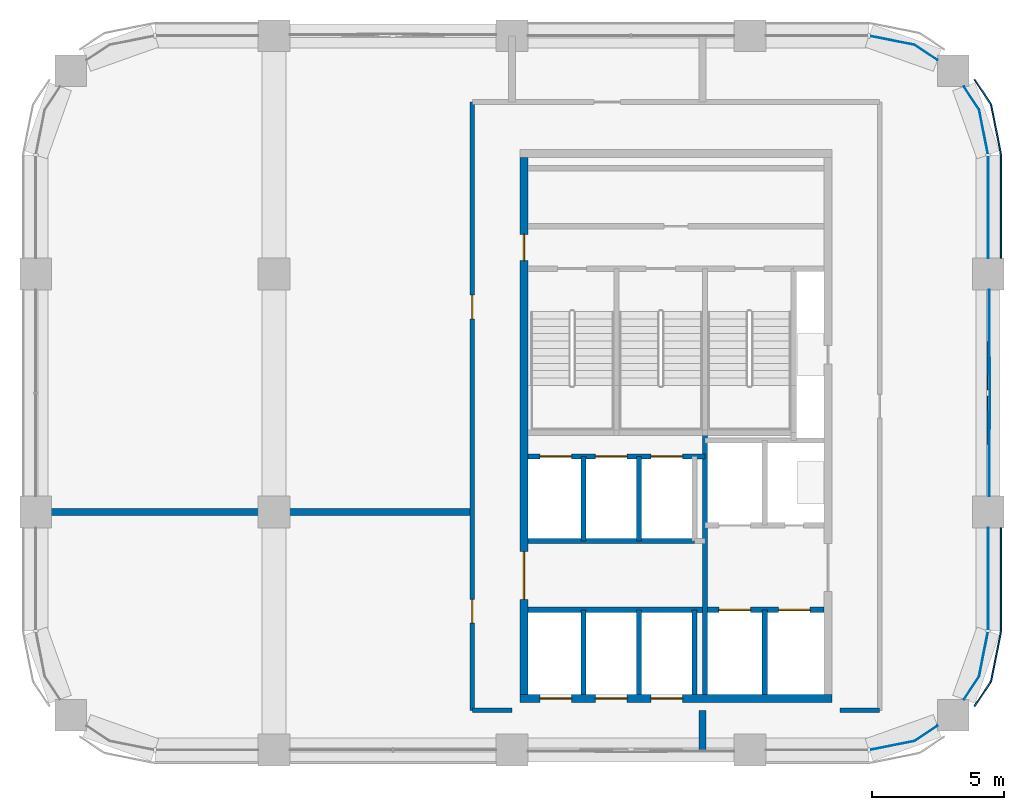
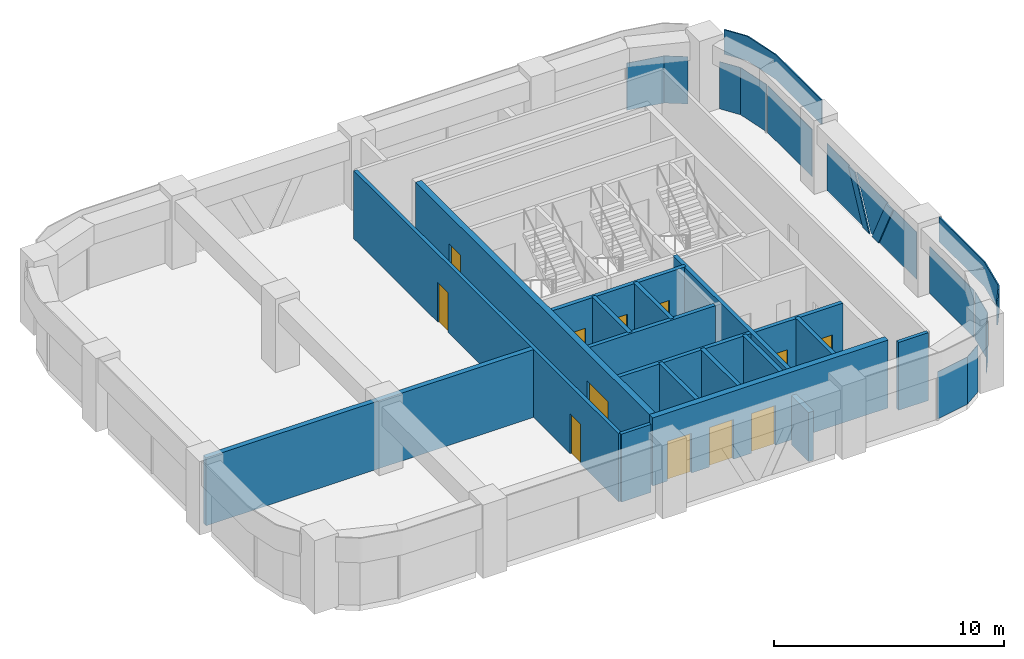
# One storey, part 6 of 9: 17 walls, 13 plates, 12 doors, 12 openings, 5 elements without a shape of their own.
"""IFC4 building model written with IfcOpenShell, lengths in metres."""

from ifc_helpers import new_model, si_unit, direction, frame, frame_2d, origin, origin_2d, place, context, subcontext, project, spatial, polyline, rectangle, outline, extrude, material, layer, layer_set, type_object, element, fill, aggregate, save


model = new_model("IFC4")

# Units and contexts
model_context = context("Model", 3, precision=1e-05, world=origin(), true_north=direction((0.0, 1.0)))
body_context = subcontext(model_context, "Body", "Model", "MODEL_VIEW")
ifc_project = project(units=[si_unit("LENGTHUNIT", "METRE"), si_unit("AREAUNIT", "SQUARE_METRE"), si_unit("VOLUMEUNIT", "CUBIC_METRE"), si_unit("PLANEANGLEUNIT", "RADIAN"), si_unit("MASSUNIT", "GRAM", prefix="KILO")], contexts=[model_context])

# Site, building, storey
site_placement = place(None, origin())
site = spatial("IfcSite", under=ifc_project, at=site_placement, CompositionType="ELEMENT")
building_placement = place(site_placement, origin())
building = spatial("IfcBuilding", under=site, at=building_placement, Name="Tessera Arch", CompositionType="ELEMENT")
storey_placement = place(building_placement, frame((0.0, 0.0, 309.0)))
storey = spatial("IfcBuildingStorey", under=building, at=storey_placement, Name="L74", CompositionType="ELEMENT", Elevation=309.0)

# Curtain wall, plates
ifc_material_1 = material(Name="CW2 curtain wall")
curtain_wall_type_1 = type_object("IfcCurtainWallType", Name="CW2 curtain wall", PredefinedType="NOTDEFINED", material=ifc_material_1)
curtain_wall_1_placement = place(storey_placement, origin())
curtain_wall_1 = element("IfcCurtainWall", 1, at=curtain_wall_1_placement, inside=storey, type_object=curtain_wall_type_1, Name="CW2 curtain wall E54.27/1 L74", PredefinedType="NOTDEFINED")
ifc_material_2 = material(Name="Clear low-e glass", Category="glass")
ifc_material_3 = material(Name="Clear low-e glass", Category="glass")
ifc_layer_1 = layer(ifc_material_3, 0.028076171875)
ifc_layer_set_1 = layer_set([ifc_layer_1], Name="CW2 glass panel")
plate_type_1 = type_object("IfcPlateType", Name="CW2 glass panel", PredefinedType="CURTAIN_PANEL", material=ifc_layer_set_1)
plate_1_placement = place(storey_placement, frame((54.0, 47.530029296875, 0.0), z_axis=(0.0, 0.0, 1.0), x_axis=(0.0, 1.0, 0.0)))
plate_1 = element("IfcPlate", 2, at=plate_1_placement, type_object=plate_type_1, material=ifc_material_2, Name="CW2 glass panel E54.27/1 1.1", PredefinedType="CURTAIN_PANEL", context=body_context, shape_type="SweptSolid", body=[
    extrude(rectangle(XDim=3.860107421875, YDim=0.028076171875, at=origin_2d()), origin(), (0.0, 0.0, 1.0), 2.5),
])
plate_2_placement = place(storey_placement, origin())
plate_2 = element("IfcPlate", 3, at=plate_2_placement, type_object=plate_type_1, material=ifc_material_2, Name="CW2 curved glass panel E54.27/1 2.1", PredefinedType="CURTAIN_PANEL", context=body_context, shape_type="SweptSolid", body=[
    extrude(outline(polyline([(53.644287109375, 51.216552734375), (53.978515625, 49.53662109375), (54.005859375, 49.5419921875), (53.670654296875, 51.2275390625), (53.094482421875, 52.08984375), (53.0712890625, 52.07421875), (53.644287109375, 51.216552734375)])), origin(), (0.0, 0.0, 1.0), 2.5),
])

# Curtain wall, plate
curtain_wall_2_placement = place(storey_placement, origin())
curtain_wall_2 = element("IfcCurtainWall", 4, at=curtain_wall_2_placement, inside=storey, type_object=curtain_wall_type_1, Name="CW2 curtain wall N54.18/0 L74", PredefinedType="NOTDEFINED")
plate_3_placement = place(storey_placement, origin())
plate_3 = element("IfcPlate", 5, at=plate_3_placement, type_object=plate_type_1, material=ifc_material_2, Name="CW2 curved glass panel N54.18/0 2.1", PredefinedType="CURTAIN_PANEL", context=body_context, shape_type="SweptSolid", body=[
    extrude(outline(polyline([(51.216552734375, 53.644287109375), (52.07421875, 53.0712890625), (52.08984375, 53.094482421875), (51.2275390625, 53.670654296875), (49.5419921875, 54.005859375), (49.53662109375, 53.978515625), (51.216552734375, 53.644287109375)])), origin(), (0.0, 0.0, 1.0), 2.5),
])
aggregate(curtain_wall_2, [plate_3])

curtain_wall_3_placement = place(storey_placement, origin())
curtain_wall_3 = element("IfcCurtainWall", 6, at=curtain_wall_3_placement, inside=storey, type_object=curtain_wall_type_1, Name="CW2 curtain wall S27.18/3 L74", PredefinedType="NOTDEFINED")
plate_4_placement = place(storey_placement, origin())
plate_4 = element("IfcPlate", 7, at=plate_4_placement, type_object=plate_type_1, material=ifc_material_2, Name="CW2 curved glass panel S27.18/3 2.1", PredefinedType="CURTAIN_PANEL", context=body_context, shape_type="SweptSolid", body=[
    extrude(outline(polyline([(51.216552734375, 27.355712890625), (49.53662109375, 27.021484375), (49.5419921875, 26.994140625), (51.2275390625, 27.329345703125), (52.08984375, 27.905517578125), (52.07421875, 27.9287109375), (51.216552734375, 27.355712890625)])), origin(), (0.0, 0.0, 1.0), 2.5),
])
aggregate(curtain_wall_3, [plate_4])

# Curtain wall, plates
curtain_wall_4_placement = place(storey_placement, origin())
curtain_wall_4 = element("IfcCurtainWall", 8, at=curtain_wall_4_placement, inside=storey, type_object=curtain_wall_type_1, Name="CW2 curtain wall E54.27/2 L74", PredefinedType="NOTDEFINED")
plate_5_placement = place(storey_placement, frame((54.0, 33.469970703125, 0.0), z_axis=(0.0, 0.0, 1.0), x_axis=(0.0, 1.0, 0.0)))
plate_5 = element("IfcPlate", 9, at=plate_5_placement, type_object=plate_type_1, material=ifc_material_2, Name="CW2 glass panel E54.27/2 1.1", PredefinedType="CURTAIN_PANEL", context=body_context, shape_type="SweptSolid", body=[
    extrude(rectangle(XDim=3.860107421875, YDim=0.028076171875, at=origin_2d()), origin(), (0.0, 0.0, 1.0), 2.5),
])
plate_6_placement = place(storey_placement, origin())
plate_6 = element("IfcPlate", 10, at=plate_6_placement, type_object=plate_type_1, material=ifc_material_2, Name="CW2 curved glass panel E54.27/2 2.1", PredefinedType="CURTAIN_PANEL", context=body_context, shape_type="SweptSolid", body=[
    extrude(outline(polyline([(53.644287109375, 29.783447265625), (53.0712890625, 28.92578125), (53.094482421875, 28.91015625), (53.670654296875, 29.7724609375), (54.005859375, 31.4580078125), (53.978515625, 31.46337890625), (53.644287109375, 29.783447265625)])), origin(), (0.0, 0.0, 1.0), 2.5),
])

# Plate
ifc_material_4 = material(Name="Pale anodised aluminium panel", Category="aluminium")
ifc_layer_2 = layer(ifc_material_4, 0.06005859375)
ifc_layer_set_2 = layer_set([ifc_layer_2], Name="CW2 spandrel panel")
plate_type_2 = type_object("IfcPlateType", Name="CW2 spandrel panel", PredefinedType="CURTAIN_PANEL", material=ifc_layer_set_2)
plate_7_placement = place(storey_placement, frame((0.0, 0.0, 2.60009765625)))
plate_7 = element("IfcPlate", 11, at=plate_7_placement, type_object=plate_type_2, Name="CW2 spandrel panel E54.27/1", PredefinedType="CURTAIN_PANEL", context=body_context, shape_type="SweptSolid", body=[
    extrude(outline(polyline([(54.449951171875, 49.499267578125), (54.449951171875, 45.60009765625), (54.510009765625, 45.60009765625), (54.510009765625, 49.500732421875), (54.507568359375, 49.550048828125), (54.500244140625, 49.598876953125), (54.157470703125, 51.322265625), (54.1455078125, 51.3701171875), (54.128662109375, 51.417236328125), (54.107421875, 51.462646484375), (54.08203125, 51.5048828125), (53.5068359375, 52.365234375), (53.45703125, 52.33203125), (54.03125, 51.47265625), (54.054443359375, 51.434326171875), (54.0732421875, 51.394287109375), (54.088134765625, 51.352783203125), (54.09912109375, 51.30908203125), (54.441162109375, 49.588623046875), (54.44775390625, 49.544189453125), (54.449951171875, 49.499267578125)])), origin(), (0.0, 0.0, 1.0), 1.2998046875),
])

aggregate(curtain_wall_1, [plate_1, plate_2, plate_7])

plate_8_placement = place(storey_placement, frame((0.0, 0.0, 2.60009765625)))
plate_8 = element("IfcPlate", 12, at=plate_8_placement, type_object=plate_type_2, Name="CW2 spandrel panel E54.27/2", PredefinedType="CURTAIN_PANEL", context=body_context, shape_type="SweptSolid", body=[
    extrude(outline(polyline([(54.03125, 29.52734375), (53.45703125, 28.66796875), (53.5068359375, 28.634765625), (54.08203125, 29.4951171875), (54.107421875, 29.537353515625), (54.128662109375, 29.582763671875), (54.1455078125, 29.6298828125), (54.157470703125, 29.677734375), (54.500244140625, 31.401123046875), (54.507568359375, 31.449951171875), (54.510009765625, 31.499267578125), (54.510009765625, 35.39990234375), (54.449951171875, 35.39990234375), (54.449951171875, 31.500732421875), (54.44775390625, 31.455810546875), (54.441162109375, 31.411376953125), (54.09912109375, 29.69091796875), (54.088134765625, 29.647216796875), (54.0732421875, 29.605712890625), (54.054443359375, 29.565673828125), (54.03125, 29.52734375)])), origin(), (0.0, 0.0, 1.0), 1.2998046875),
])

aggregate(curtain_wall_4, [plate_5, plate_6, plate_8])

# Curtain wall, plates
ifc_material_5 = material(Name="CW3 curtain wall")
curtain_wall_type_2 = type_object("IfcCurtainWallType", Name="CW3 curtain wall", PredefinedType="NOTDEFINED", material=ifc_material_5)
curtain_wall_5_placement = place(storey_placement, origin())
curtain_wall_5 = element("IfcCurtainWall", 13, at=curtain_wall_5_placement, inside=storey, type_object=curtain_wall_type_2, Name="CW3 curtain wall E54.27/0 L74", PredefinedType="NOTDEFINED")
ifc_material_6 = material(Name="Pale anodised aluminium panel", Category="aluminium")
ifc_layer_3 = layer(ifc_material_6, 0.06005859375)
ifc_layer_set_3 = layer_set([ifc_layer_3], Name="CW3 diagonal panel")
plate_type_3 = type_object("IfcPlateType", Name="CW3 diagonal panel", PredefinedType="CURTAIN_PANEL", material=ifc_layer_set_3)
plate_9_placement = place(storey_placement, frame((54.030029296875, 42.432373046875, 2.5), z_axis=(1.0, 0.0, 0.0), x_axis=(0.0, -1.0, 0.0)))
plate_9 = element("IfcPlate", 14, at=plate_9_placement, type_object=plate_type_3, Name="CW3 diagonal panel E54.27/0 1", PredefinedType="CURTAIN_PANEL", context=body_context, shape_type="SweptSolid", body=[
    extrude(outline(polyline([(0.0, 0.0), (0.564697265625, 0.0), (1.814697265625, 2.5), (1.25, 2.5), (0.0, 0.0)])), origin(), (0.0, 0.0, -1.0), 0.06005859375),
])
plate_10_placement = place(storey_placement, frame((54.030029296875, 39.13232421875, 2.5), z_axis=(1.0, 0.0, 0.0), x_axis=(0.0, -1.0, 0.0)))
plate_10 = element("IfcPlate", 15, at=plate_10_placement, type_object=plate_type_3, Name="CW3 diagonal panel E54.27/0 2", PredefinedType="CURTAIN_PANEL", context=body_context, shape_type="SweptSolid", body=[
    extrude(outline(polyline([(0.0, 0.0), (0.564697265625, 0.0), (-0.685302734375, 2.5), (-1.25, 2.5), (0.0, 0.0)])), origin(), (0.0, 0.0, -1.0), 0.06005859375),
])
ifc_material_7 = material(Name="Clear low-e glass", Category="glass")
ifc_layer_4 = layer(ifc_material_7, 0.028076171875)
ifc_layer_set_4 = layer_set([ifc_layer_4], Name="CW3 glass panel")
plate_type_4 = type_object("IfcPlateType", Name="CW3 glass panel", PredefinedType="CURTAIN_PANEL", material=ifc_layer_set_4)
plate_11_placement = place(storey_placement, frame((54.05810546875, 36.60009765625, 0.0), z_axis=(1.0, 0.0, 0.0), x_axis=(0.0, 1.0, 0.0)))
plate_11 = element("IfcPlate", 16, at=plate_11_placement, type_object=plate_type_4, material=ifc_material_2, Name="CW3 triangulated glass panel E54.27/0 1", PredefinedType="CURTAIN_PANEL", context=body_context, shape_type="SweptSolid", body=[
    extrude(outline(polyline([(0.0, 0.0), (3.217529296875, 0.0), (1.967529296875, 2.5), (0.0, 2.5), (0.0, 0.0)])), origin(), (0.0, 0.0, -1.0), 0.028076171875),
])
plate_12_placement = place(storey_placement, frame((54.0859375, 41.86767578125, 2.5), z_axis=(1.0, 0.0, 0.0), x_axis=(0.0, -1.0, 0.0)))
plate_12 = element("IfcPlate", 17, at=plate_12_placement, type_object=plate_type_4, material=ifc_material_2, Name="CW3 triangulated glass panel E54.27/0 2", PredefinedType="CURTAIN_PANEL", context=body_context, shape_type="SweptSolid", body=[
    extrude(outline(polyline([(0.0, 0.0), (2.7353515625, 0.0), (1.4853515625, 2.5), (1.25, 2.5), (0.0, 0.0)])), origin(), (0.0, 0.0, -1.0), 0.028076171875),
])
plate_13_placement = place(storey_placement, frame((54.05810546875, 44.39990234375, 2.5), z_axis=(1.0, 0.0, 0.0), x_axis=(0.0, -1.0, 0.0)))
plate_13 = element("IfcPlate", 18, at=plate_13_placement, type_object=plate_type_4, material=ifc_material_2, Name="CW3 triangulated glass panel E54.27/0 3", PredefinedType="CURTAIN_PANEL", context=body_context, shape_type="SweptSolid", body=[
    extrude(outline(polyline([(0.0, 0.0), (1.967529296875, 0.0), (3.217529296875, 2.5), (0.0, 2.5), (0.0, 0.0)])), origin(), (0.0, 0.0, -1.0), 0.028076171875),
])
aggregate(curtain_wall_5, [plate_11, plate_12, plate_13, plate_9, plate_10])

# Wall, openings, doors
ifc_material_8 = material(Name="Concrete C50/60", Category="concrete")
ifc_layer_5 = layer(ifc_material_8, 0.300048828125)
ifc_layer_set_5 = layer_set([ifc_layer_5], Name="Core shell wall 300 C50-60")
wall_type_1 = type_object("IfcWallType", Name="Core shell wall 300 C50-60", PredefinedType="SHEAR", material=ifc_layer_set_5)
wall_1_placement = place(storey_placement, frame((36.300048828125, 28.949951171875, 0.0), z_axis=(0.0, 0.0, 1.0), x_axis=(1.0, 0.0, 0.0)))
wall_1 = element("IfcWall", 19, at=wall_1_placement, inside=storey, type_object=wall_type_1, Name="L74 C1 core wall S", PredefinedType="SHEAR", context=body_context, shape_type="SweptSolid", body=[
    extrude(rectangle(XDim=11.800048828125, YDim=0.300048828125, at=frame_2d((5.89990234375, 0.0))), origin(), (0.0, 0.0, 1.0), 3.60009765625),
])
opening_1_placement = place(wall_1_placement, frame((0.75, 0.0, 0.0)))
opening_1 = element("IfcOpeningElement", 20, at=opening_1_placement, cuts=wall_1, Name="Opening L74-C01", PredefinedType="OPENING", context=body_context, shape_type="SweptSolid", body=[
    extrude(rectangle(XDim=1.199951171875, YDim=2.10009765625, at=frame_2d((0.60009765625, 1.050048828125))), frame((0.0, 0.159912109375, 0.0), z_axis=(0.0, -1.0, 0.0), x_axis=(1.0, 0.0, 0.0)), (0.0, 0.0, 1.0), 0.320068359375),
])
opening_2_placement = place(wall_1_placement, frame((2.85009765625, 0.0, 0.0)))
opening_2 = element("IfcOpeningElement", 21, at=opening_2_placement, cuts=wall_1, Name="Opening L74-C03", PredefinedType="OPENING", context=body_context, shape_type="SweptSolid", body=[
    extrude(rectangle(XDim=1.199951171875, YDim=2.10009765625, at=frame_2d((0.60009765625, 1.050048828125))), frame((0.0, 0.159912109375, 0.0), z_axis=(0.0, -1.0, 0.0), x_axis=(1.0, 0.0, 0.0)), (0.0, 0.0, 1.0), 0.320068359375),
])
opening_3_placement = place(wall_1_placement, frame((4.949951171875, 0.0, 0.0)))
opening_3 = element("IfcOpeningElement", 22, at=opening_3_placement, cuts=wall_1, Name="Opening L74-C05", PredefinedType="OPENING", context=body_context, shape_type="SweptSolid", body=[
    extrude(rectangle(XDim=1.199951171875, YDim=2.10009765625, at=frame_2d((0.60009765625, 1.050048828125))), frame((0.0, 0.159912109375, 0.0), z_axis=(0.0, -1.0, 0.0), x_axis=(1.0, 0.0, 0.0)), (0.0, 0.0, 1.0), 0.320068359375),
])
ifc_material_9 = material(Name="Stainless steel AISI 304", Category="steel")
door_type_1 = type_object("IfcDoorType", Name="Sliding landing door 1200 x 2100", OperationType="SLIDING_TO_LEFT", PredefinedType="DOOR", material=ifc_material_9)
door_1_placement = place(opening_1_placement, origin())
door_1 = element("IfcDoor", 23, at=door_1_placement, inside=storey, type_object=door_type_1, Name="L74 HR1 lift landing door C01 type LD", OperationType="SLIDING_TO_LEFT", OverallHeight=2.10009765625, OverallWidth=1.199951171875, PredefinedType="DOOR", context=body_context, shape_type="SweptSolid", body=[
    extrude(rectangle(XDim=1.199951171875, YDim=2.10009765625, at=frame_2d((0.60009765625, 1.050048828125))), frame((0.0, 0.02490234375, 0.0), z_axis=(0.0, -1.0, 0.0), x_axis=(1.0, 0.0, 0.0)), (0.0, 0.0, 1.0), 0.050048828125),
])
fill(opening_1, door_1)
door_2_placement = place(opening_2_placement, origin())
door_2 = element("IfcDoor", 24, at=door_2_placement, inside=storey, type_object=door_type_1, Name="L74 HR2 lift landing door C03 type LD", OperationType="SLIDING_TO_LEFT", OverallHeight=2.10009765625, OverallWidth=1.199951171875, PredefinedType="DOOR", context=body_context, shape_type="SweptSolid", body=[
    extrude(rectangle(XDim=1.199951171875, YDim=2.10009765625, at=frame_2d((0.60009765625, 1.050048828125))), frame((0.0, 0.02490234375, 0.0), z_axis=(0.0, -1.0, 0.0), x_axis=(1.0, 0.0, 0.0)), (0.0, 0.0, 1.0), 0.050048828125),
])
fill(opening_2, door_2)
door_3_placement = place(opening_3_placement, origin())
door_3 = element("IfcDoor", 25, at=door_3_placement, inside=storey, type_object=door_type_1, Name="L74 HR3 lift landing door C05 type LD", OperationType="SLIDING_TO_LEFT", OverallHeight=2.10009765625, OverallWidth=1.199951171875, PredefinedType="DOOR", context=body_context, shape_type="SweptSolid", body=[
    extrude(rectangle(XDim=1.199951171875, YDim=2.10009765625, at=frame_2d((0.60009765625, 1.050048828125))), frame((0.0, 0.02490234375, 0.0), z_axis=(0.0, -1.0, 0.0), x_axis=(1.0, 0.0, 0.0)), (0.0, 0.0, 1.0), 0.050048828125),
])
fill(opening_3, door_3)

wall_2_placement = place(storey_placement, frame((36.449951171875, 29.10009765625, 0.0), z_axis=(0.0, 0.0, 1.0), x_axis=(0.0, 1.0, 0.0)))
wall_2 = element("IfcWall", 26, at=wall_2_placement, inside=storey, type_object=wall_type_1, Name="L74 C1 core wall W", PredefinedType="SHEAR", context=body_context, shape_type="SweptSolid", body=[
    extrude(rectangle(XDim=20.2998046875, YDim=0.300048828125, at=frame_2d((10.14990234375, 0.0))), origin(), (0.0, 0.0, 1.0), 3.60009765625),
])
opening_4_placement = place(wall_2_placement, frame((3.60009765625, 0.0, 0.0)))
opening_4 = element("IfcOpeningElement", 27, at=opening_4_placement, cuts=wall_2, Name="Opening L74-C10", PredefinedType="OPENING", context=body_context, shape_type="SweptSolid", body=[
    extrude(rectangle(XDim=1.800048828125, YDim=2.10009765625, at=frame_2d((0.89990234375, 1.050048828125))), frame((0.0, 0.159912109375, 0.0), z_axis=(0.0, -1.0, 0.0), x_axis=(1.0, 0.0, 0.0)), (0.0, 0.0, 1.0), 0.320068359375),
])
opening_5_placement = place(wall_2_placement, frame((16.39990234375, 0.0, 0.0)))
opening_5 = element("IfcOpeningElement", 28, at=opening_5_placement, cuts=wall_2, Name="Opening L74-C17", PredefinedType="OPENING", context=body_context, shape_type="SweptSolid", body=[
    extrude(rectangle(XDim=1.0, YDim=2.10009765625, at=frame_2d((0.5, 1.050048828125))), frame((0.0, 0.159912109375, 0.0), z_axis=(0.0, -1.0, 0.0), x_axis=(1.0, 0.0, 0.0)), (0.0, 0.0, 1.0), 0.320068359375),
])
ifc_material_10 = material(Name="Steel door leaf", Category="steel")
door_type_2 = type_object("IfcDoorType", Name="Corridor door FD60 1000 x 2100", OperationType="SINGLE_SWING_LEFT", PredefinedType="DOOR", material=ifc_material_10)
door_4_placement = place(opening_5_placement, origin())
door_4 = element("IfcDoor", 29, at=door_4_placement, inside=storey, type_object=door_type_2, Name="L74 C1 door 17 C17 type D12", OperationType="SINGLE_SWING_RIGHT", OverallHeight=2.10009765625, OverallWidth=1.0, PredefinedType="DOOR", context=body_context, shape_type="SweptSolid", body=[
    extrude(rectangle(XDim=1.0, YDim=2.10009765625, at=frame_2d((0.5, 1.050048828125))), frame((0.0, 0.02490234375, 0.0), z_axis=(0.0, -1.0, 0.0), x_axis=(1.0, 0.0, 0.0)), (0.0, 0.0, 1.0), 0.050048828125),
])
fill(opening_5, door_4)
ifc_material_11 = material(Name="Glazed steel door leaf", Category="steel")
door_type_3 = type_object("IfcDoorType", Name="Lobby double door FD30S 1800 x 2100", OperationType="DOUBLE_DOOR_SINGLE_SWING", PredefinedType="DOOR", material=ifc_material_11)
door_5_placement = place(opening_4_placement, origin())
door_5 = element("IfcDoor", 30, at=door_5_placement, inside=storey, type_object=door_type_3, Name="L74 C1 door 10 C10 type D06", OperationType="DOUBLE_DOOR_SINGLE_SWING", OverallHeight=2.10009765625, OverallWidth=1.800048828125, PredefinedType="DOOR", context=body_context, shape_type="SweptSolid", body=[
    extrude(rectangle(XDim=1.800048828125, YDim=2.10009765625, at=frame_2d((0.89990234375, 1.050048828125))), frame((0.0, 0.02490234375, 0.0), z_axis=(0.0, -1.0, 0.0), x_axis=(1.0, 0.0, 0.0)), (0.0, 0.0, 1.0), 0.050048828125),
])
fill(opening_4, door_5)

# Walls
ifc_material_12 = material(Name="Gypsum board on deep steel stud with mineral wool", Category="steel")
ifc_layer_6 = layer(ifc_material_12, 0.175048828125)
ifc_layer_set_6 = layer_set([ifc_layer_6], Name="Corridor wall 175 EI 60")
wall_type_2 = type_object("IfcWallType", Name="Corridor wall 175 EI 60", PredefinedType="PARTITIONING", material=ifc_layer_set_6)
for number, where, z_axis, x_axis, name in (
    (31, (34.5, 28.5, 0.0), (0.0, 0.0, 1.0), (1.0, 0.0, 0.0), "L74 partition 1"),
    (32, (48.39990234375, 28.5, 0.0), (0.0, 0.0, 1.0), (1.0, 0.0, 0.0), "L74 partition 2"),
):
    element("IfcWall", number, at=place(storey_placement, frame(where, z_axis=z_axis, x_axis=x_axis)), inside=storey, type_object=wall_type_2, Name=name, PredefinedType="PARTITIONING", context=body_context, shape_type="SweptSolid", body=[
        extrude(rectangle(XDim=1.5, YDim=0.175048828125, at=frame_2d((0.75, 0.0))), origin(), (0.0, 0.0, 1.0), 3.60009765625),
    ])

# Wall, openings, doors
wall_3_placement = place(storey_placement, frame((34.5, 28.5, 0.0), z_axis=(0.0, 0.0, 1.0), x_axis=(0.0, 1.0, 0.0)))
wall_3 = element("IfcWall", 33, at=wall_3_placement, inside=storey, type_object=wall_type_2, Name="L74 partition 4", PredefinedType="PARTITIONING", context=body_context, shape_type="SweptSolid", body=[
    extrude(rectangle(XDim=23.0, YDim=0.175048828125, at=frame_2d((11.5, 0.0))), origin(), (0.0, 0.0, 1.0), 3.60009765625),
])
opening_6_placement = place(wall_3_placement, frame((3.300048828125, 0.0, 0.0)))
opening_6 = element("IfcOpeningElement", 34, at=opening_6_placement, cuts=wall_3, Name="Opening L74-D001", PredefinedType="OPENING", context=body_context, shape_type="SweptSolid", body=[
    extrude(rectangle(XDim=0.89990234375, YDim=2.10009765625, at=frame_2d((0.449951171875, 1.050048828125))), frame((0.0, 0.097412109375, 0.0), z_axis=(0.0, -1.0, 0.0), x_axis=(1.0, 0.0, 0.0)), (0.0, 0.0, 1.0), 0.195068359375),
])
opening_7_placement = place(wall_3_placement, frame((14.800048828125, 0.0, 0.0)))
opening_7 = element("IfcOpeningElement", 35, at=opening_7_placement, cuts=wall_3, Name="Opening L74-D003", PredefinedType="OPENING", context=body_context, shape_type="SweptSolid", body=[
    extrude(rectangle(XDim=0.89990234375, YDim=2.10009765625, at=frame_2d((0.449951171875, 1.050048828125))), frame((0.0, 0.097412109375, 0.0), z_axis=(0.0, -1.0, 0.0), x_axis=(1.0, 0.0, 0.0)), (0.0, 0.0, 1.0), 0.195068359375),
])
ifc_material_13 = material(Name="Timber door leaf", Category="wood")
door_type_4 = type_object("IfcDoorType", Name="Room door 900 x 2100", OperationType="SINGLE_SWING_LEFT", PredefinedType="DOOR", material=ifc_material_13)
door_6_placement = place(opening_6_placement, origin())
door_6 = element("IfcDoor", 36, at=door_6_placement, inside=storey, type_object=door_type_4, Name="L74 door D001 type D01", OperationType="SINGLE_SWING_LEFT", OverallHeight=2.10009765625, OverallWidth=0.89990234375, PredefinedType="DOOR", context=body_context, shape_type="SweptSolid", body=[
    extrude(rectangle(XDim=0.89990234375, YDim=2.10009765625, at=frame_2d((0.449951171875, 1.050048828125))), frame((0.0, 0.02490234375, 0.0), z_axis=(0.0, -1.0, 0.0), x_axis=(1.0, 0.0, 0.0)), (0.0, 0.0, 1.0), 0.050048828125),
])
fill(opening_6, door_6)
door_7_placement = place(opening_7_placement, origin())
door_7 = element("IfcDoor", 37, at=door_7_placement, inside=storey, type_object=door_type_4, Name="L74 door D003 type D01", OperationType="SINGLE_SWING_LEFT", OverallHeight=2.10009765625, OverallWidth=0.89990234375, PredefinedType="DOOR", context=body_context, shape_type="SweptSolid", body=[
    extrude(rectangle(XDim=0.89990234375, YDim=2.10009765625, at=frame_2d((0.449951171875, 1.050048828125))), frame((0.0, 0.02490234375, 0.0), z_axis=(0.0, -1.0, 0.0), x_axis=(1.0, 0.0, 0.0)), (0.0, 0.0, 1.0), 0.050048828125),
])
fill(opening_7, door_7)

# Walls
ifc_material_14 = material(Name="Double gypsum board on twin steel stud with acoustic mineral wool", Category="steel")
ifc_layer_7 = layer(ifc_material_14, 0.25)
ifc_layer_set_7 = layer_set([ifc_layer_7], Name="Party wall 250 EI 60")
wall_type_3 = type_object("IfcWallType", Name="Party wall 250 EI 60", PredefinedType="PARTITIONING", material=ifc_layer_set_7)
wall_4_placement = place(storey_placement, frame((18.0, 36.0, 0.0), z_axis=(0.0, 0.0, 1.0), x_axis=(1.0, 0.0, 0.0)))
element("IfcWall", 38, at=wall_4_placement, inside=storey, type_object=wall_type_3, Name="L74 partition 6", PredefinedType="PARTITIONING", context=body_context, shape_type="SweptSolid", body=[
    extrude(rectangle(XDim=16.5, YDim=0.25, at=frame_2d((8.25, 0.0))), origin(), (0.0, 0.0, 1.0), 3.60009765625),
])
wall_5_placement = place(storey_placement, frame((43.199951171875, 27.0, 0.0), z_axis=(0.0, 0.0, 1.0), x_axis=(0.0, 1.0, 0.0)))
element("IfcWall", 39, at=wall_5_placement, inside=storey, type_object=wall_type_3, Name="L74 partition 8", PredefinedType="PARTITIONING", context=body_context, shape_type="SweptSolid", body=[
    extrude(rectangle(XDim=1.5, YDim=0.25, at=frame_2d((0.75, 0.0))), origin(), (0.0, 0.0, 1.0), 2.60009765625),
])
ifc_material_15 = material(Name="Concrete C40/50", Category="concrete")
ifc_layer_8 = layer(ifc_material_15, 0.199951171875)
ifc_layer_set_8 = layer_set([ifc_layer_8], Name="Shaft wall 200 EI 120")
wall_type_4 = type_object("IfcWallType", Name="Shaft wall 200 EI 120", PredefinedType="SOLIDWALL", material=ifc_layer_set_8)
wall_6_placement = place(storey_placement, frame((38.699951171875, 29.10009765625, 0.0), z_axis=(0.0, 0.0, 1.0), x_axis=(0.0, 1.0, 0.0)))
element("IfcWall", 40, at=wall_6_placement, inside=storey, type_object=wall_type_4, Name="L74 C1 shaft wall 1", PredefinedType="SOLIDWALL", context=body_context, shape_type="SweptSolid", body=[
    extrude(rectangle(XDim=3.199951171875, YDim=0.199951171875, at=frame_2d((1.60009765625, 0.0))), origin(), (0.0, 0.0, 1.0), 3.60009765625),
])
wall_7_placement = place(storey_placement, frame((38.699951171875, 34.89990234375, 0.0), z_axis=(0.0, 0.0, 1.0), x_axis=(0.0, 1.0, 0.0)))
element("IfcWall", 41, at=wall_7_placement, inside=storey, type_object=wall_type_4, Name="L74 C1 shaft wall 2", PredefinedType="SOLIDWALL", context=body_context, shape_type="SweptSolid", body=[
    extrude(rectangle(XDim=3.2001953125, YDim=0.199951171875, at=frame_2d((1.60009765625, 0.0))), origin(), (0.0, 0.0, 1.0), 3.60009765625),
])
wall_8_placement = place(storey_placement, frame((40.800048828125, 29.10009765625, 0.0), z_axis=(0.0, 0.0, 1.0), x_axis=(0.0, 1.0, 0.0)))
element("IfcWall", 42, at=wall_8_placement, inside=storey, type_object=wall_type_4, Name="L74 C1 shaft wall 5", PredefinedType="SOLIDWALL", context=body_context, shape_type="SweptSolid", body=[
    extrude(rectangle(XDim=3.199951171875, YDim=0.199951171875, at=frame_2d((1.60009765625, 0.0))), origin(), (0.0, 0.0, 1.0), 3.60009765625),
])
wall_9_placement = place(storey_placement, frame((40.800048828125, 34.89990234375, 0.0), z_axis=(0.0, 0.0, 1.0), x_axis=(0.0, 1.0, 0.0)))
element("IfcWall", 43, at=wall_9_placement, inside=storey, type_object=wall_type_4, Name="L74 C1 shaft wall 6", PredefinedType="SOLIDWALL", context=body_context, shape_type="SweptSolid", body=[
    extrude(rectangle(XDim=3.2001953125, YDim=0.199951171875, at=frame_2d((1.60009765625, 0.0))), origin(), (0.0, 0.0, 1.0), 3.60009765625),
])
wall_10_placement = place(storey_placement, frame((42.89990234375, 29.10009765625, 0.0), z_axis=(0.0, 0.0, 1.0), x_axis=(0.0, 1.0, 0.0)))
element("IfcWall", 44, at=wall_10_placement, inside=storey, type_object=wall_type_4, Name="L74 C1 shaft wall 7", PredefinedType="SOLIDWALL", context=body_context, shape_type="SweptSolid", body=[
    extrude(rectangle(XDim=3.199951171875, YDim=0.199951171875, at=frame_2d((1.60009765625, 0.0))), origin(), (0.0, 0.0, 1.0), 3.60009765625),
])
wall_11_placement = place(storey_placement, frame((43.300048828125, 29.10009765625, 0.0), z_axis=(0.0, 0.0, 1.0), x_axis=(0.0, 1.0, 0.0)))
element("IfcWall", 45, at=wall_11_placement, inside=storey, type_object=wall_type_4, Name="L74 C1 shaft wall 9", PredefinedType="SOLIDWALL", context=body_context, shape_type="SweptSolid", body=[
    extrude(rectangle(XDim=9.89990234375, YDim=0.199951171875, at=frame_2d((4.949951171875, 0.0))), origin(), (0.0, 0.0, 1.0), 3.60009765625),
])
wall_12_placement = place(storey_placement, frame((45.550048828125, 29.10009765625, 0.0), z_axis=(0.0, 0.0, 1.0), x_axis=(0.0, 1.0, 0.0)))
element("IfcWall", 46, at=wall_12_placement, inside=storey, type_object=wall_type_4, Name="L74 C1 shaft wall 12", PredefinedType="SOLIDWALL", context=body_context, shape_type="SweptSolid", body=[
    extrude(rectangle(XDim=3.199951171875, YDim=0.199951171875, at=frame_2d((1.60009765625, 0.0))), origin(), (0.0, 0.0, 1.0), 3.60009765625),
])

# Wall, openings, doors
wall_13_placement = place(storey_placement, frame((36.60009765625, 32.300048828125, 0.0), z_axis=(0.0, 0.0, 1.0), x_axis=(1.0, 0.0, 0.0)))
wall_13 = element("IfcWall", 47, at=wall_13_placement, inside=storey, type_object=wall_type_4, Name="L74 C1 shaft wall 17", PredefinedType="SOLIDWALL", context=body_context, shape_type="SweptSolid", body=[
    extrude(rectangle(XDim=11.199951171875, YDim=0.199951171875, at=frame_2d((5.60009765625, 0.0))), origin(), (0.0, 0.0, 1.0), 3.60009765625),
])
opening_8_placement = place(wall_13_placement, frame((7.22509765625, 0.0, 0.0)))
opening_8 = element("IfcOpeningElement", 48, at=opening_8_placement, cuts=wall_13, Name="Opening L74-C07", PredefinedType="OPENING", context=body_context, shape_type="SweptSolid", body=[
    extrude(rectangle(XDim=1.199951171875, YDim=2.10009765625, at=frame_2d((0.60009765625, 1.050048828125))), frame((0.0, 0.10986328125, 0.0), z_axis=(0.0, -1.0, 0.0), x_axis=(1.0, 0.0, 0.0)), (0.0, 0.0, 1.0), 0.219970703125),
])
opening_9_placement = place(wall_13_placement, frame((9.47509765625, 0.0, 0.0)))
opening_9 = element("IfcOpeningElement", 49, at=opening_9_placement, cuts=wall_13, Name="Opening L74-C08", PredefinedType="OPENING", context=body_context, shape_type="SweptSolid", body=[
    extrude(rectangle(XDim=1.199951171875, YDim=2.10009765625, at=frame_2d((0.60009765625, 1.050048828125))), frame((0.0, 0.10986328125, 0.0), z_axis=(0.0, -1.0, 0.0), x_axis=(1.0, 0.0, 0.0)), (0.0, 0.0, 1.0), 0.219970703125),
])
door_8_placement = place(opening_8_placement, origin())
door_8 = element("IfcDoor", 50, at=door_8_placement, inside=storey, type_object=door_type_1, Name="L74 FF1 lift landing door C07 type LD", OperationType="SLIDING_TO_LEFT", OverallHeight=2.10009765625, OverallWidth=1.199951171875, PredefinedType="DOOR", context=body_context, shape_type="SweptSolid", body=[
    extrude(rectangle(XDim=1.199951171875, YDim=2.10009765625, at=frame_2d((0.60009765625, 1.050048828125))), frame((0.0, 0.02490234375, 0.0), z_axis=(0.0, -1.0, 0.0), x_axis=(1.0, 0.0, 0.0)), (0.0, 0.0, 1.0), 0.050048828125),
])
fill(opening_8, door_8)
door_9_placement = place(opening_9_placement, origin())
door_9 = element("IfcDoor", 51, at=door_9_placement, inside=storey, type_object=door_type_1, Name="L74 FF2 lift landing door C08 type LD", OperationType="SLIDING_TO_LEFT", OverallHeight=2.10009765625, OverallWidth=1.199951171875, PredefinedType="DOOR", context=body_context, shape_type="SweptSolid", body=[
    extrude(rectangle(XDim=1.199951171875, YDim=2.10009765625, at=frame_2d((0.60009765625, 1.050048828125))), frame((0.0, 0.02490234375, 0.0), z_axis=(0.0, -1.0, 0.0), x_axis=(1.0, 0.0, 0.0)), (0.0, 0.0, 1.0), 0.050048828125),
])
fill(opening_9, door_9)

# Wall
wall_14_placement = place(storey_placement, frame((36.60009765625, 34.89990234375, 0.0), z_axis=(0.0, 0.0, 1.0), x_axis=(1.0, 0.0, 0.0)))
element("IfcWall", 52, at=wall_14_placement, inside=storey, type_object=wall_type_4, Name="L74 C1 shaft wall 19", PredefinedType="SOLIDWALL", context=body_context, shape_type="SweptSolid", body=[
    extrude(rectangle(XDim=6.2998046875, YDim=0.199951171875, at=frame_2d((3.14990234375, 0.0))), origin(), (0.0, 0.0, 1.0), 3.60009765625),
])

# Wall, openings, doors
wall_15_placement = place(storey_placement, frame((36.60009765625, 38.10009765625, 0.0), z_axis=(0.0, 0.0, 1.0), x_axis=(1.0, 0.0, 0.0)))
wall_15 = element("IfcWall", 53, at=wall_15_placement, inside=storey, type_object=wall_type_4, Name="L74 C1 shaft wall 21", PredefinedType="SOLIDWALL", context=body_context, shape_type="SweptSolid", body=[
    extrude(rectangle(XDim=6.699951171875, YDim=0.199951171875, at=frame_2d((3.35009765625, 0.0))), origin(), (0.0, 0.0, 1.0), 3.60009765625),
])
opening_10_placement = place(wall_15_placement, frame((0.449951171875, 0.0, 0.0)))
opening_10 = element("IfcOpeningElement", 54, at=opening_10_placement, cuts=wall_15, Name="Opening L74-C02", PredefinedType="OPENING", context=body_context, shape_type="SweptSolid", body=[
    extrude(rectangle(XDim=1.199951171875, YDim=2.10009765625, at=frame_2d((0.60009765625, 1.050048828125))), frame((0.0, 0.10986328125, 0.0), z_axis=(0.0, -1.0, 0.0), x_axis=(1.0, 0.0, 0.0)), (0.0, 0.0, 1.0), 0.219970703125),
])
opening_11_placement = place(wall_15_placement, frame((2.550048828125, 0.0, 0.0)))
opening_11 = element("IfcOpeningElement", 55, at=opening_11_placement, cuts=wall_15, Name="Opening L74-C04", PredefinedType="OPENING", context=body_context, shape_type="SweptSolid", body=[
    extrude(rectangle(XDim=1.199951171875, YDim=2.10009765625, at=frame_2d((0.60009765625, 1.050048828125))), frame((0.0, 0.10986328125, 0.0), z_axis=(0.0, -1.0, 0.0), x_axis=(1.0, 0.0, 0.0)), (0.0, 0.0, 1.0), 0.219970703125),
])
opening_12_placement = place(wall_15_placement, frame((4.64990234375, 0.0, 0.0)))
opening_12 = element("IfcOpeningElement", 56, at=opening_12_placement, cuts=wall_15, Name="Opening L74-C06", PredefinedType="OPENING", context=body_context, shape_type="SweptSolid", body=[
    extrude(rectangle(XDim=1.199951171875, YDim=2.10009765625, at=frame_2d((0.60009765625, 1.050048828125))), frame((0.0, 0.10986328125, 0.0), z_axis=(0.0, -1.0, 0.0), x_axis=(1.0, 0.0, 0.0)), (0.0, 0.0, 1.0), 0.219970703125),
])
door_10_placement = place(opening_10_placement, origin())
door_10 = element("IfcDoor", 57, at=door_10_placement, inside=storey, type_object=door_type_1, Name="L74 HR4 lift landing door C02 type LD", OperationType="SLIDING_TO_LEFT", OverallHeight=2.10009765625, OverallWidth=1.199951171875, PredefinedType="DOOR", context=body_context, shape_type="SweptSolid", body=[
    extrude(rectangle(XDim=1.199951171875, YDim=2.10009765625, at=frame_2d((0.60009765625, 1.050048828125))), frame((0.0, 0.02490234375, 0.0), z_axis=(0.0, -1.0, 0.0), x_axis=(1.0, 0.0, 0.0)), (0.0, 0.0, 1.0), 0.050048828125),
])
fill(opening_10, door_10)
door_11_placement = place(opening_11_placement, origin())
door_11 = element("IfcDoor", 58, at=door_11_placement, inside=storey, type_object=door_type_1, Name="L74 HR5 lift landing door C04 type LD", OperationType="SLIDING_TO_LEFT", OverallHeight=2.10009765625, OverallWidth=1.199951171875, PredefinedType="DOOR", context=body_context, shape_type="SweptSolid", body=[
    extrude(rectangle(XDim=1.199951171875, YDim=2.10009765625, at=frame_2d((0.60009765625, 1.050048828125))), frame((0.0, 0.02490234375, 0.0), z_axis=(0.0, -1.0, 0.0), x_axis=(1.0, 0.0, 0.0)), (0.0, 0.0, 1.0), 0.050048828125),
])
fill(opening_11, door_11)
door_12_placement = place(opening_12_placement, origin())
door_12 = element("IfcDoor", 59, at=door_12_placement, inside=storey, type_object=door_type_1, Name="L74 HR6 lift landing door C06 type LD", OperationType="SLIDING_TO_LEFT", OverallHeight=2.10009765625, OverallWidth=1.199951171875, PredefinedType="DOOR", context=body_context, shape_type="SweptSolid", body=[
    extrude(rectangle(XDim=1.199951171875, YDim=2.10009765625, at=frame_2d((0.60009765625, 1.050048828125))), frame((0.0, 0.02490234375, 0.0), z_axis=(0.0, -1.0, 0.0), x_axis=(1.0, 0.0, 0.0)), (0.0, 0.0, 1.0), 0.050048828125),
])
fill(opening_12, door_12)

save(model, "model.ifc")
